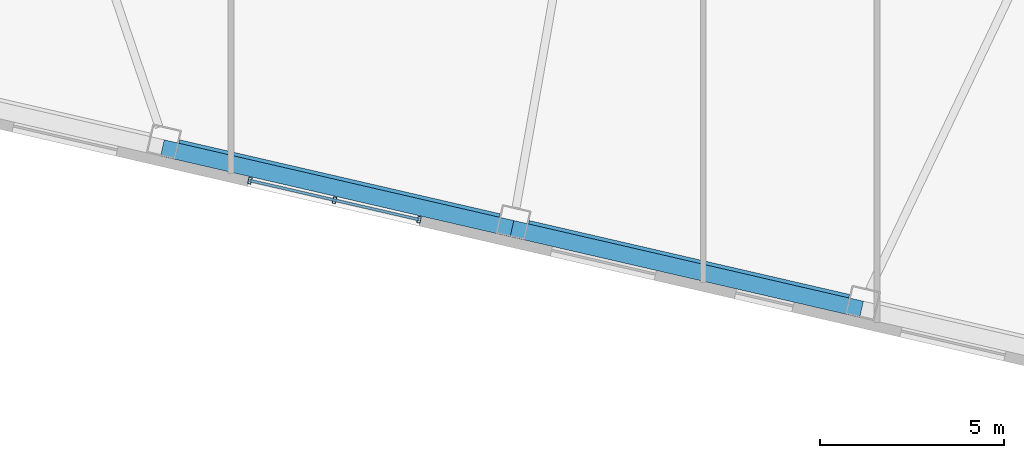
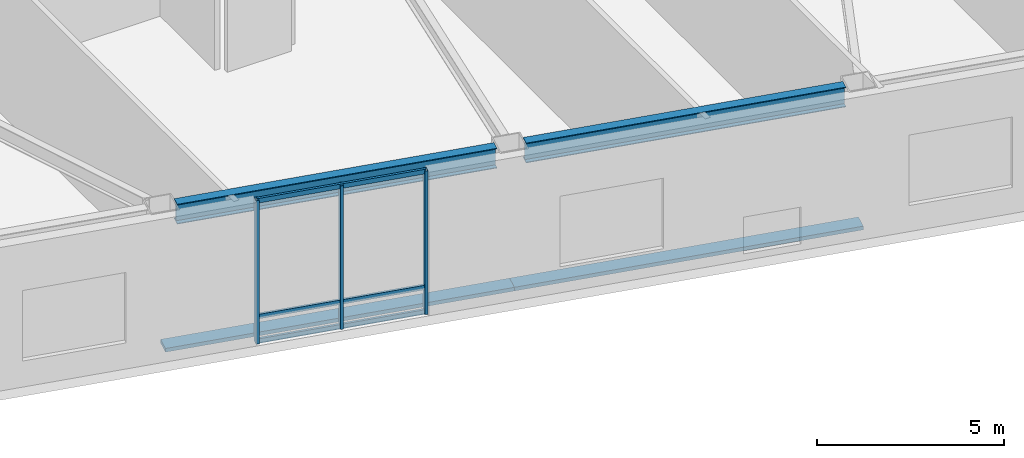
# One storey, part 4 of 19: 8 members, 2 beams, 1 element without a shape of its own.
"""IFC4 building model written with IfcOpenShell, lengths in metres."""

from ifc_helpers import new_model, si_unit, direction, frame, origin, origin_2d, place, context, subcontext, project, spatial, rectangle, hollow_rectangle, i_section, extrude, material, layer, layer_set, material_profile, profile_set, type_object, element, aggregate, save


model = new_model("IFC4")

# Units and contexts
model_context = context("Model", 3, precision=1e-05, world=origin(), true_north=direction((0.0, 1.0)))
body_context = subcontext(model_context, "Body", "Model", "MODEL_VIEW")
ifc_project = project(units=[si_unit("LENGTHUNIT", "METRE"), si_unit("AREAUNIT", "SQUARE_METRE"), si_unit("VOLUMEUNIT", "CUBIC_METRE"), si_unit("PLANEANGLEUNIT", "RADIAN"), si_unit("MASSUNIT", "GRAM", prefix="KILO")], contexts=[model_context])

# Site, building, storey
site_placement = place(None, origin())
site = spatial("IfcSite", under=ifc_project, at=site_placement, CompositionType="ELEMENT")
building_placement = place(site_placement, origin())
building = spatial("IfcBuilding", under=site, at=building_placement, Name="Tavrogorsk Clinical Tower", CompositionType="ELEMENT")
storey_placement = place(building_placement, frame((0.0, 0.0, 28.39990234375)))
storey = spatial("IfcBuildingStorey", under=building, at=storey_placement, Name="L05", CompositionType="ELEMENT", Elevation=28.39990234375)

# Members
ifc_material_1 = material(Name="Anodised aluminium alloy AW-6063", Category="aluminium")
ifc_material_profile_1 = material_profile(ifc_material_1, rectangle(XDim=0.449951171875, YDim=0.1201171875, at=origin_2d()), Name="ALU-SUNSHADE-450x120")
ifc_profile_set_1 = profile_set([ifc_material_profile_1], Name="Anodised aluminium alloy AW-6063")
member_type_1 = type_object("IfcMemberType", Name="ChicagoSunshade_450x120", PredefinedType="USERDEFINED", material=ifc_profile_set_1)
member_1_placement = place(storey_placement, frame((-3.296875, -27.353271484375, 0.18017578125), z_axis=(0.97437219846, -0.224941812182, 0.0), x_axis=(0.224941812182, 0.97437219846, 0.0)))
element("IfcMember", 1, at=member_1_placement, inside=storey, type_object=member_type_1, Name="L05 South Aluminium Sunshade S5", ObjectType="SUNSHADE", PredefinedType="USERDEFINED", context=body_context, shape_type="SweptSolid", body=[
    extrude(rectangle(XDim=0.449951171875, YDim=0.1201171875, at=origin_2d()), origin(), (0.0, 0.0, 1.0), 9.74853515625),
])
member_2_placement = place(storey_placement, frame((6.201904296875, -29.546142578125, 0.18017578125), z_axis=(0.974370931236, -0.2249473013, 0.0), x_axis=(0.2249473013, 0.974370931236, 0.0)))
element("IfcMember", 2, at=member_2_placement, inside=storey, type_object=member_type_1, Name="L05 South Aluminium Sunshade S6", ObjectType="SUNSHADE", PredefinedType="USERDEFINED", context=body_context, shape_type="SweptSolid", body=[
    extrude(rectangle(XDim=0.449951171875, YDim=0.1201171875, at=origin_2d()), origin(), (0.0, 0.0, 1.0), 9.748291015625),
])

# Curtain wall, members
ifc_material_2 = material(Name="Anodised aluminium and triple IGU glazing", Category="aluminium")
ifc_layer = layer(ifc_material_2, 0.179931640625)
ifc_layer_set = layer_set([ifc_layer], Name="Anodised aluminium and triple IGU glazing")
curtain_wall_type = type_object("IfcCurtainWallType", Name="CW3_SouthSlot", PredefinedType="NOTDEFINED", material=ifc_layer_set)
curtain_wall_placement = place(storey_placement, origin())
curtain_wall = element("IfcCurtainWall", 3, at=curtain_wall_placement, inside=storey, type_object=curtain_wall_type, Name="L05 Curtain Wall CW-L05-S-SLOT-2", PredefinedType="NOTDEFINED")
ifc_material_3 = material(Name="Anodised aluminium alloy AW-6060", Category="aluminium")
ifc_material_profile_2 = material_profile(ifc_material_3, hollow_rectangle(XDim=0.090087890625, YDim=0.179931640625, WallThickness=0.00634765625, at=origin_2d()), Name="RHS-180x90x6.3")
ifc_profile_set_2 = profile_set([ifc_material_profile_2], Name="Anodised aluminium alloy AW-6060")
member_type_2 = type_object("IfcMemberType", Name="CwMullion_180x90", PredefinedType="MULLION", material=ifc_profile_set_2)
member_3_placement = place(storey_placement, frame((-0.92041015625, -28.240478515625, 0.0), z_axis=(0.0, 0.0, 1.0), x_axis=(0.974370102963, -0.224950888978, 0.0)))
member_3 = element("IfcMember", 4, at=member_3_placement, type_object=member_type_2, Name="CW-L05-S-SLOT-2 Mullion 1", PredefinedType="MULLION", context=body_context, shape_type="SweptSolid", body=[
    extrude(hollow_rectangle(XDim=0.090087890625, YDim=0.179931640625, WallThickness=0.00634765625, at=origin_2d()), origin(), (0.0, 0.0, 1.0), 4.68017578125),
])
member_4_placement = place(storey_placement, frame((1.378173828125, -28.771240234375, 0.0), z_axis=(0.0, 0.0, 1.0), x_axis=(0.974370102963, -0.224950888978, 0.0)))
member_4 = element("IfcMember", 5, at=member_4_placement, type_object=member_type_2, Name="CW-L05-S-SLOT-2 Mullion 2", PredefinedType="MULLION", context=body_context, shape_type="SweptSolid", body=[
    extrude(hollow_rectangle(XDim=0.090087890625, YDim=0.179931640625, WallThickness=0.00634765625, at=origin_2d()), origin(), (0.0, 0.0, 1.0), 4.68017578125),
])
member_5_placement = place(storey_placement, frame((3.6767578125, -29.3017578125, 0.0), z_axis=(0.0, 0.0, 1.0), x_axis=(0.974370102963, -0.224950888978, 0.0)))
member_5 = element("IfcMember", 6, at=member_5_placement, type_object=member_type_2, Name="CW-L05-S-SLOT-2 Mullion 3", PredefinedType="MULLION", context=body_context, shape_type="SweptSolid", body=[
    extrude(hollow_rectangle(XDim=0.090087890625, YDim=0.179931640625, WallThickness=0.00634765625, at=origin_2d()), origin(), (0.0, 0.0, 1.0), 4.68017578125),
])
ifc_material_4 = material(Name="Anodised aluminium alloy AW-6060", Category="aluminium")
ifc_material_profile_3 = material_profile(ifc_material_4, hollow_rectangle(XDim=0.074951171875, YDim=0.14990234375, WallThickness=0.0048828125, at=origin_2d()), Name="RHS-150x75x5")
ifc_profile_set_3 = profile_set([ifc_material_profile_3], Name="Anodised aluminium alloy AW-6060")
member_type_3 = type_object("IfcMemberType", Name="CwTransom_150x75", PredefinedType="USERDEFINED", material=ifc_profile_set_3)
member_6_placement = place(storey_placement, frame((-0.92041015625, -28.240478515625, 0.050048828125), z_axis=(0.974372877948, -0.22493886885, 0.0), x_axis=(0.22493886885, 0.974372877948, 0.0)))
member_6 = element("IfcMember", 7, at=member_6_placement, type_object=member_type_3, Name="CW-L05-S-SLOT-2 Transom 1", ObjectType="TRANSOM", PredefinedType="USERDEFINED", context=body_context, shape_type="SweptSolid", body=[
    extrude(hollow_rectangle(XDim=0.074951171875, YDim=0.14990234375, WallThickness=0.0048828125, at=origin_2d()), origin(), (0.0, 0.0, 1.0), 4.718017578125),
])
member_7_placement = place(storey_placement, frame((-0.92041015625, -28.240478515625, 0.85009765625), z_axis=(0.974372877948, -0.22493886885, 0.0), x_axis=(0.22493886885, 0.974372877948, 0.0)))
member_7 = element("IfcMember", 8, at=member_7_placement, type_object=member_type_3, Name="CW-L05-S-SLOT-2 Transom 2", ObjectType="TRANSOM", PredefinedType="USERDEFINED", context=body_context, shape_type="SweptSolid", body=[
    extrude(hollow_rectangle(XDim=0.074951171875, YDim=0.14990234375, WallThickness=0.0048828125, at=origin_2d()), origin(), (0.0, 0.0, 1.0), 4.718017578125),
])
member_8_placement = place(storey_placement, frame((-0.92041015625, -28.240478515625, 4.630126953125), z_axis=(0.974372877948, -0.22493886885, 0.0), x_axis=(0.22493886885, 0.974372877948, 0.0)))
member_8 = element("IfcMember", 9, at=member_8_placement, type_object=member_type_3, Name="CW-L05-S-SLOT-2 Transom 3", ObjectType="TRANSOM", PredefinedType="USERDEFINED", context=body_context, shape_type="SweptSolid", body=[
    extrude(hollow_rectangle(XDim=0.074951171875, YDim=0.14990234375, WallThickness=0.0048828125, at=origin_2d()), origin(), (0.0, 0.0, 1.0), 4.718017578125),
])
aggregate(curtain_wall, [member_3, member_4, member_5, member_6, member_7, member_8])

# Beams
ifc_material_5 = material(Name="Structural steel S390", Category="steel")
ifc_material_profile_4 = material_profile(ifc_material_5, i_section(OverallWidth=0.280029296875, OverallDepth=0.64990234375, WebThickness=0.01611328125, FlangeThickness=0.02490234375, at=origin_2d()), Name="B-650x280x16x25")
ifc_profile_set_4 = profile_set([ifc_material_profile_4], Name="Structural steel S390")
beam_type = type_object("IfcBeamType", Name="SpandrelBeam_B650", PredefinedType="SPANDREL", material=ifc_profile_set_4)
for number, where, z_axis, x_axis, name in (
    (10, (-2.85888671875, -27.26953125, 4.35498046875), (0.974372766602, -0.224939351168, 0.0), (0.224939351168, 0.974372766602, 0.0), "L05 Perimeter Spandrel S5-S6"),
    (11, (6.639892578125, -29.46240234375, 4.35498046875), (0.974366775889, -0.224965299645, 0.0), (0.224965299645, 0.974366775889, 0.0), "L05 Perimeter Spandrel S6-S7"),
):
    element("IfcBeam", number, at=place(storey_placement, frame(where, z_axis=z_axis, x_axis=x_axis)), inside=storey, type_object=beam_type, Name=name, PredefinedType="SPANDREL", context=body_context, shape_type="SweptSolid", body=[
        extrude(i_section(OverallWidth=0.280029296875, OverallDepth=0.64990234375, WebThickness=0.01611328125, FlangeThickness=0.02490234375, at=origin_2d()), origin(), (0.0, 0.0, 1.0), 8.9326171875),
    ])

save(model, "model.ifc")
